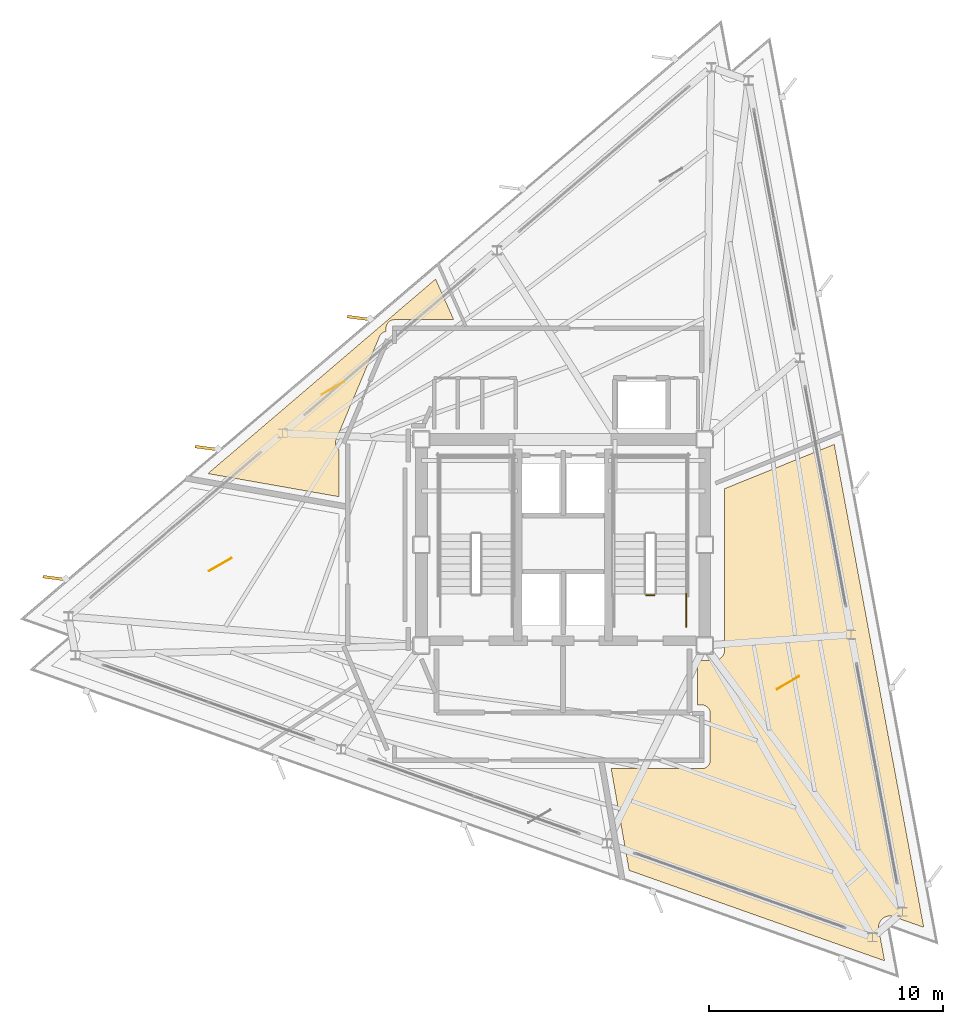
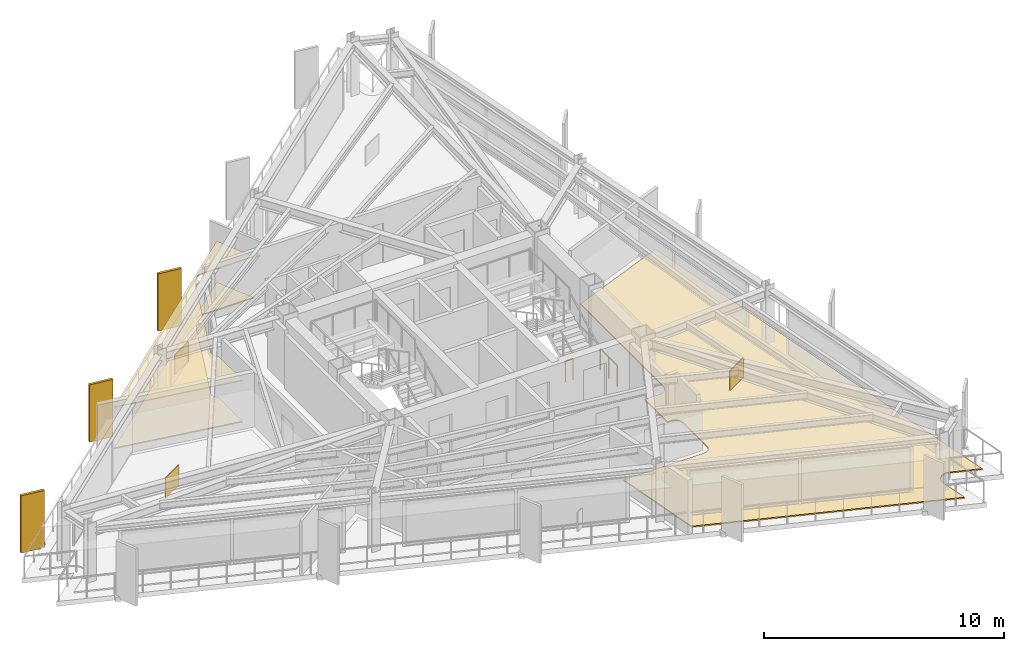
# One storey, part 12 of 14: 6 coverings, 3 shading devices, 2 railings.
"""IFC4 building model written with IfcOpenShell, lengths in metres."""

from ifc_helpers import new_model, si_unit, direction, frame, origin, origin_2d, place, context, subcontext, project, spatial, polyline, rectangle, outline, extrude, material, layer, layer_set, type_object, element, save


model = new_model("IFC4")

# Units and contexts
model_context = context("Model", 3, precision=1e-05, world=origin(), true_north=direction((0.0, 1.0)))
body_context = subcontext(model_context, "Body", "Model", "MODEL_VIEW")
ifc_project = project(units=[si_unit("LENGTHUNIT", "METRE"), si_unit("AREAUNIT", "SQUARE_METRE"), si_unit("VOLUMEUNIT", "CUBIC_METRE"), si_unit("PLANEANGLEUNIT", "RADIAN"), si_unit("MASSUNIT", "GRAM", prefix="KILO")], contexts=[model_context])

# Site, building, storey
site_placement = place(None, origin())
site = spatial("IfcSite", under=ifc_project, at=site_placement, CompositionType="ELEMENT")
building_placement = place(site_placement, origin())
building = spatial("IfcBuilding", under=site, at=building_placement, Name="Rocaltana Carrier Exchange", CompositionType="ELEMENT")
storey_placement = place(building_placement, frame((0.0, 0.0, 184.47998046875)))
storey = spatial("IfcBuildingStorey", under=building, at=storey_placement, Name="L58", CompositionType="ELEMENT", Elevation=184.47998046875)

# Coverings
ifc_material_1 = material(Name="Calcium Sulphate & Aluminium Pedestal", Category="aluminium")
ifc_layer_1 = layer(ifc_material_1, 0.06005859375)
ifc_layer_set_1 = layer_set([ifc_layer_1], Name="Calcium Sulphate & Aluminium Pedestal")
covering_type_1 = type_object("IfcCoveringType", Name="Anti-Static Raised Exchange Access Floor 60", PredefinedType="FLOORING", material=ifc_layer_set_1)
covering_1_placement = place(storey_placement, origin())
element("IfcCovering", 1, at=covering_1_placement, inside=storey, type_object=covering_type_1, Name="L58 Cloud Architecture Office Finish Floor", PredefinedType="FLOORING", context=body_context, shape_type="SweptSolid", body=[
    extrude(outline(polyline([(5.739990234375, -6.840087890625), (5.739990234375, -4.93994140625), (6.449951171875, -4.93994140625), (6.463623046875, -4.939697265625), (6.4794921875, -4.93896484375), (6.5068359375, -4.936279296875), (6.522216796875, -4.933837890625), (6.54931640625, -4.928466796875), (6.564453125, -4.9248046875), (6.5908203125, -4.916748046875), (6.605712890625, -4.91162109375), (6.630859375, -4.90087890625), (6.64501953125, -4.894287109375), (6.66943359375, -4.88134765625), (6.682861328125, -4.873291015625), (6.705810546875, -4.85791015625), (6.71826171875, -4.8486328125), (6.739501953125, -4.8310546875), (6.751220703125, -4.820556640625), (6.7705078125, -4.80126953125), (6.781005859375, -4.78955078125), (6.798583984375, -4.768310546875), (6.807861328125, -4.755615234375), (6.8232421875, -4.73291015625), (6.831298828125, -4.719482421875), (6.84423828125, -4.695068359375), (6.850830078125, -4.680908203125), (6.861572265625, -4.655517578125), (6.86669921875, -4.640869140625), (6.874755859375, -4.614501953125), (6.87841796875, -4.59912109375), (6.8837890625, -4.572265625), (6.88623046875, -4.556884765625), (6.888916015625, -4.529296875), (6.8896484375, -4.513671875), (6.889892578125, -4.5), (6.889892578125, 2.3955078125), (11.576171875, 4.288818359375), (15.398681640625, -16.3359375), (14.108642578125, -15.879150390625), (14.095458984375, -15.874755859375), (14.076416015625, -15.869140625), (14.04931640625, -15.8623046875), (14.02978515625, -15.858642578125), (14.001953125, -15.854736328125), (13.982177734375, -15.852783203125), (13.954345703125, -15.851806640625), (13.934326171875, -15.85205078125), (13.906494140625, -15.853515625), (13.88671875, -15.855712890625), (13.859130859375, -15.860107421875), (13.839599609375, -15.8642578125), (13.8125, -15.871337890625), (13.793701171875, -15.87744140625), (13.767333984375, -15.88720703125), (13.7490234375, -15.89501953125), (13.72412109375, -15.907470703125), (13.706787109375, -15.9169921875), (13.68310546875, -15.931884765625), (13.66650390625, -15.943359375), (13.64453125, -15.960205078125), (13.62939453125, -15.973388671875), (13.60888671875, -15.992431640625), (13.59521484375, -16.0068359375), (13.576904296875, -16.02783203125), (13.564697265625, -16.043701171875), (13.548583984375, -16.06640625), (13.537841796875, -16.083251953125), (13.524169921875, -16.107666015625), (13.51513671875, -16.12548828125), (13.50390625, -16.15087890625), (13.496826171875, -16.16943359375), (13.48828125, -16.196044921875), (13.48291015625, -16.21533203125), (13.47705078125, -16.24267578125), (13.4736328125, -16.26220703125), (13.470458984375, -16.2900390625), (13.468994140625, -16.309814453125), (13.46875, -16.337890625), (13.469482421875, -16.357666015625), (13.4716796875, -16.385498046875), (13.474365234375, -16.4052734375), (13.4765625, -16.419189453125), (13.725830078125, -17.7646484375), (2.81689453125, -13.901611328125), (2.05126953125, -9.56005859375), (5.919921875, -9.56005859375), (5.93359375, -9.559814453125), (5.941650390625, -9.559326171875), (5.968994140625, -9.556640625), (5.976806640625, -9.555419921875), (6.003662109375, -9.550048828125), (6.01123046875, -9.548095703125), (6.03759765625, -9.540283203125), (6.044921875, -9.53759765625), (6.0703125, -9.527099609375), (6.077392578125, -9.523681640625), (6.101806640625, -9.5107421875), (6.1083984375, -9.506591796875), (6.131103515625, -9.491455078125), (6.137451171875, -9.48681640625), (6.15869140625, -9.46923828125), (6.16455078125, -9.464111328125), (6.18408203125, -9.444580078125), (6.189208984375, -9.438720703125), (6.206787109375, -9.41748046875), (6.21142578125, -9.4111328125), (6.226806640625, -9.388427734375), (6.230712890625, -9.381591796875), (6.24365234375, -9.357421875), (6.2470703125, -9.350341796875), (6.257568359375, -9.324951171875), (6.26025390625, -9.317626953125), (6.268310546875, -9.291259765625), (6.27001953125, -9.28369140625), (6.275390625, -9.256591796875), (6.276611328125, -9.248779296875), (6.279296875, -9.2216796875), (6.27978515625, -9.213623046875), (6.280029296875, -9.199951171875), (6.280029296875, -7.199951171875), (6.27978515625, -7.186279296875), (6.279296875, -7.178466796875), (6.276611328125, -7.151123046875), (6.275390625, -7.143310546875), (6.27001953125, -7.116455078125), (6.268310546875, -7.108642578125), (6.26025390625, -7.08251953125), (6.257568359375, -7.0751953125), (6.2470703125, -7.0498046875), (6.24365234375, -7.04248046875), (6.230712890625, -7.018310546875), (6.226806640625, -7.01171875), (6.21142578125, -6.98876953125), (6.206787109375, -6.982421875), (6.189208984375, -6.961181640625), (6.18408203125, -6.955322265625), (6.16455078125, -6.93603515625), (6.15869140625, -6.9306640625), (6.137451171875, -6.913330078125), (6.131103515625, -6.90869140625), (6.1083984375, -6.893310546875), (6.101806640625, -6.889404296875), (6.077392578125, -6.876220703125), (6.0703125, -6.873046875), (6.044921875, -6.862548828125), (6.03759765625, -6.85986328125), (6.01123046875, -6.851806640625), (6.003662109375, -6.849853515625), (5.976806640625, -6.844482421875), (5.968994140625, -6.843505859375), (5.941650390625, -6.8408203125), (5.93359375, -6.84033203125), (5.919921875, -6.840087890625), (5.739990234375, -6.840087890625)])), origin(), (0.0, 0.0, 1.0), 0.06005859375),
])
covering_2_placement = place(storey_placement, origin())
element("IfcCovering", 2, at=covering_2_placement, inside=storey, type_object=covering_type_1, Name="L58 Peering Conference Room Finish Floor", PredefinedType="FLOORING", context=body_context, shape_type="SweptSolid", body=[
    extrude(outline(polyline([(-9.56005859375, 4.052001953125), (-9.56005859375, 2.05126953125), (-15.169921875, 3.040283203125), (-5.445556640625, 11.345703125), (-4.672607421875, 9.610107421875), (-7.199951171875, 9.610107421875), (-7.213623046875, 9.609619140625), (-7.2216796875, 9.609375), (-7.248779296875, 9.606689453125), (-7.256591796875, 9.60546875), (-7.28369140625, 9.60009765625), (-7.291259765625, 9.59814453125), (-7.317626953125, 9.590087890625), (-7.324951171875, 9.58740234375), (-7.350341796875, 9.576904296875), (-7.357421875, 9.57373046875), (-7.381591796875, 9.560791015625), (-7.388427734375, 9.556640625), (-7.4111328125, 9.54150390625), (-7.41748046875, 9.53662109375), (-7.438720703125, 9.519287109375), (-7.444580078125, 9.513916015625), (-7.464111328125, 9.49462890625), (-7.46923828125, 9.48876953125), (-7.48681640625, 9.467529296875), (-7.491455078125, 9.461181640625), (-7.506591796875, 9.4384765625), (-7.5107421875, 9.431640625), (-7.523681640625, 9.407470703125), (-7.527099609375, 9.400390625), (-7.53759765625, 9.375), (-7.540283203125, 9.36767578125), (-7.548095703125, 9.34130859375), (-7.550048828125, 9.33349609375), (-7.555419921875, 9.306640625), (-7.556640625, 9.298828125), (-7.559326171875, 9.271484375), (-7.559814453125, 9.263671875), (-7.56005859375, 9.25), (-7.56005859375, 9.106689453125), (-7.563720703125, 9.106201171875), (-7.5908203125, 9.100830078125), (-7.598388671875, 9.09912109375), (-7.624755859375, 9.09130859375), (-7.632080078125, 9.088623046875), (-7.65771484375, 9.078125), (-7.664794921875, 9.074951171875), (-7.68896484375, 9.06201171875), (-7.69580078125, 9.05810546875), (-7.71875, 9.04296875), (-7.72509765625, 9.038330078125), (-7.746337890625, 9.02099609375), (-7.752197265625, 9.015625), (-7.771728515625, 8.996337890625), (-7.777099609375, 8.990478515625), (-7.794677734375, 8.969482421875), (-7.79931640625, 8.963134765625), (-7.814697265625, 8.9404296875), (-7.818603515625, 8.93359375), (-7.831787109375, 8.909423828125), (-7.835205078125, 8.90234375), (-7.8408203125, 8.889892578125), (-9.69091796875, 4.489990234375), (-9.69580078125, 4.47705078125), (-9.698486328125, 4.4697265625), (-9.706787109375, 4.443603515625), (-9.70849609375, 4.435791015625), (-9.714111328125, 4.408935546875), (-9.71533203125, 4.401123046875), (-9.71826171875, 4.373779296875), (-9.718505859375, 4.365966796875), (-9.71875, 4.33837890625), (-9.718505859375, 4.330810546875), (-9.7158203125, 4.30322265625), (-9.714599609375, 4.295654296875), (-9.70947265625, 4.2685546875), (-9.70751953125, 4.260986328125), (-9.69970703125, 4.234619140625), (-9.697265625, 4.227294921875), (-9.686767578125, 4.201904296875), (-9.68359375, 4.194580078125), (-9.670654296875, 4.17041015625), (-9.666748046875, 4.16357421875), (-9.651611328125, 4.140625), (-9.64697265625, 4.134521484375), (-9.629638671875, 4.113037109375), (-9.624267578125, 4.107177734375), (-9.60498046875, 4.087646484375), (-9.59912109375, 4.082275390625), (-9.578125, 4.064697265625), (-9.57177734375, 4.06005859375), (-9.56005859375, 4.052001953125)])), origin(), (0.0, 0.0, 1.0), 0.06005859375),
])
ifc_material_2 = material(Name="Mineral Fibre & Powder-Coated Aluminium", Category="aluminium")
ifc_layer_2 = layer(ifc_material_2, 0.044921875)
ifc_layer_set_2 = layer_set([ifc_layer_2], Name="Mineral Fibre & Powder-Coated Aluminium")
covering_type_2 = type_object("IfcCoveringType", Name="Micro-Perforated Acoustic Ceiling 45", PredefinedType="CEILING", material=ifc_layer_set_2)
covering_3_placement = place(storey_placement, frame((0.0, 0.0, 2.10302734375)))
element("IfcCovering", 3, at=covering_3_placement, inside=storey, type_object=covering_type_2, Name="L58 Peering Conference Room Acoustic Ceiling", PredefinedType="CEILING", context=body_context, shape_type="SweptSolid", body=[
    extrude(outline(polyline([(-9.56005859375, 4.052001953125), (-9.56005859375, 2.05126953125), (-15.169921875, 3.040283203125), (-5.445556640625, 11.345703125), (-4.672607421875, 9.610107421875), (-7.199951171875, 9.610107421875), (-7.213623046875, 9.609619140625), (-7.2216796875, 9.609375), (-7.248779296875, 9.606689453125), (-7.256591796875, 9.60546875), (-7.28369140625, 9.60009765625), (-7.291259765625, 9.59814453125), (-7.317626953125, 9.590087890625), (-7.324951171875, 9.58740234375), (-7.350341796875, 9.576904296875), (-7.357421875, 9.57373046875), (-7.381591796875, 9.560791015625), (-7.388427734375, 9.556640625), (-7.4111328125, 9.54150390625), (-7.41748046875, 9.53662109375), (-7.438720703125, 9.519287109375), (-7.444580078125, 9.513916015625), (-7.464111328125, 9.49462890625), (-7.46923828125, 9.48876953125), (-7.48681640625, 9.467529296875), (-7.491455078125, 9.461181640625), (-7.506591796875, 9.4384765625), (-7.5107421875, 9.431640625), (-7.523681640625, 9.407470703125), (-7.527099609375, 9.400390625), (-7.53759765625, 9.375), (-7.540283203125, 9.36767578125), (-7.548095703125, 9.34130859375), (-7.550048828125, 9.33349609375), (-7.555419921875, 9.306640625), (-7.556640625, 9.298828125), (-7.559326171875, 9.271484375), (-7.559814453125, 9.263671875), (-7.56005859375, 9.25), (-7.56005859375, 9.106689453125), (-7.563720703125, 9.106201171875), (-7.5908203125, 9.100830078125), (-7.598388671875, 9.09912109375), (-7.624755859375, 9.09130859375), (-7.632080078125, 9.088623046875), (-7.65771484375, 9.078125), (-7.664794921875, 9.074951171875), (-7.68896484375, 9.06201171875), (-7.69580078125, 9.05810546875), (-7.71875, 9.04296875), (-7.72509765625, 9.038330078125), (-7.746337890625, 9.02099609375), (-7.752197265625, 9.015625), (-7.771728515625, 8.996337890625), (-7.777099609375, 8.990478515625), (-7.794677734375, 8.969482421875), (-7.79931640625, 8.963134765625), (-7.814697265625, 8.9404296875), (-7.818603515625, 8.93359375), (-7.831787109375, 8.909423828125), (-7.835205078125, 8.90234375), (-7.8408203125, 8.889892578125), (-9.69091796875, 4.489990234375), (-9.69580078125, 4.47705078125), (-9.698486328125, 4.4697265625), (-9.706787109375, 4.443603515625), (-9.70849609375, 4.435791015625), (-9.714111328125, 4.408935546875), (-9.71533203125, 4.401123046875), (-9.71826171875, 4.373779296875), (-9.718505859375, 4.365966796875), (-9.71875, 4.33837890625), (-9.718505859375, 4.330810546875), (-9.7158203125, 4.30322265625), (-9.714599609375, 4.295654296875), (-9.70947265625, 4.2685546875), (-9.70751953125, 4.260986328125), (-9.69970703125, 4.234619140625), (-9.697265625, 4.227294921875), (-9.686767578125, 4.201904296875), (-9.68359375, 4.194580078125), (-9.670654296875, 4.17041015625), (-9.666748046875, 4.16357421875), (-9.651611328125, 4.140625), (-9.64697265625, 4.134521484375), (-9.629638671875, 4.113037109375), (-9.624267578125, 4.107177734375), (-9.60498046875, 4.087646484375), (-9.59912109375, 4.082275390625), (-9.578125, 4.064697265625), (-9.57177734375, 4.06005859375), (-9.56005859375, 4.052001953125)])), origin(), (0.0, 0.0, 1.0), 0.044921875),
])

# Railings
ifc_material_3 = material(Name="Powder-Coated Aluminium 6063-T6", Category="aluminium")
ifc_layer_3 = layer(ifc_material_3, 0.048095703125)
ifc_layer_set_3 = layer_set([ifc_layer_3], Name="Powder-Coated Aluminium 6063-T6")
railing_type = type_object("IfcRailingType", Name="Stair Well Guardrail 1100", PredefinedType="GUARDRAIL", material=ifc_layer_set_3)
railing_1_placement = place(storey_placement, frame((3.89990234375, -2.14990234375, 0.0)))
element("IfcRailing", 4, at=railing_1_placement, inside=storey, type_object=railing_type, Name="L58 ST-2 stair guard 7", PredefinedType="GUARDRAIL", context=body_context, shape_type="SweptSolid", body=[
    extrude(rectangle(XDim=0.048095703125, YDim=0.048095703125, at=origin_2d()), frame((0.0, 0.0, 1.076171875), z_axis=(-1.0, 0.0, 0.0), x_axis=(0.0, -1.0, 0.0)), (0.0, 0.0, 1.0), 0.35986328125),
    extrude(rectangle(XDim=0.0419921875, YDim=0.0419921875, at=origin_2d()), origin(), (0.0, 0.0, 1.0), 1.052001953125),
    extrude(rectangle(XDim=0.0419921875, YDim=0.0419921875, at=origin_2d()), frame((-0.35986328125, 0.0, 0.0)), (0.0, 0.0, 1.0), 1.052001953125),
])
railing_2_placement = place(storey_placement, frame((5.25, -3.5, 0.0)))
element("IfcRailing", 5, at=railing_2_placement, inside=storey, type_object=railing_type, Name="L58 ST-2 stair guard 8", PredefinedType="GUARDRAIL", context=body_context, shape_type="SweptSolid", body=[
    extrude(rectangle(XDim=0.048095703125, YDim=0.048095703125, at=origin_2d()), frame((0.0, 0.0, 1.076171875), z_axis=(0.0, 1.0, 0.0), x_axis=(-1.0, 0.0, 0.0)), (0.0, 0.0, 1.0), 1.39990234375),
    extrude(rectangle(XDim=0.0419921875, YDim=0.0419921875, at=origin_2d()), origin(), (0.0, 0.0, 1.0), 1.052001953125),
    extrude(rectangle(XDim=0.0419921875, YDim=0.0419921875, at=origin_2d()), frame((0.0, 0.699951171875, 0.0)), (0.0, 0.0, 1.0), 1.052001953125),
    extrude(rectangle(XDim=0.0419921875, YDim=0.0419921875, at=origin_2d()), frame((0.0, 1.39990234375, 0.0)), (0.0, 0.0, 1.0), 1.052001953125),
])

# Coverings
ifc_material_4 = material(Name="Honed Piedra Muneca Sandstone", Category="masonry")
ifc_layer_4 = layer(ifc_material_4, 0.034912109375)
ifc_layer_set_4 = layer_set([ifc_layer_4], Name="Honed Piedra Muneca Sandstone")
covering_type_3 = type_object("IfcCoveringType", Name="Stone Facade Cladding 35", PredefinedType="CLADDING", material=ifc_layer_set_4)
for number, where, z_axis, x_axis, name in (
    (6, (-14.637939453125, -0.84228515625, 0.0), (0.0, 0.0, 1.0), (0.866025403784, 0.5, 0.0), "L58 Stone Facade Cladding Panel 1"),
    (7, (9.601318359375, -5.889892578125, 0.0), (0.0, 0.0, 1.0), (0.866025403784, 0.5, 0.0), "L58 Stone Facade Cladding Panel 3"),
    (8, (-9.831298828125, 6.68994140625, 0.0), (0.0, 0.0, 1.0), (0.866025403784, 0.5, 0.0), "L58 Stone Facade Cladding Panel 5"),
):
    element("IfcCovering", number, at=place(storey_placement, frame(where, z_axis=z_axis, x_axis=x_axis)), inside=storey, type_object=covering_type_3, Name=name, PredefinedType="CLADDING", context=body_context, shape_type="SweptSolid", body=[
        extrude(rectangle(XDim=1.10009765625, YDim=0.034912109375, at=origin_2d()), origin(), (0.0, 0.0, 1.0), 1.050048828125),
    ])

# Shading devices
ifc_material_5 = material(Name="Honed Bogota Sandstone & Concrete C45/55", Category="masonry")
ifc_layer_5 = layer(ifc_material_5, 0.1201171875)
ifc_layer_set_5 = layer_set([ifc_layer_5], Name="Honed Bogota Sandstone & Concrete C45/55")
shading_device_type = type_object("IfcShadingDeviceType", Name="Upper Sandstone Shading Fin 1050x120", PredefinedType="USERDEFINED", material=ifc_layer_set_5)
for number, where, z_axis, x_axis, name in (
    (9, (-8.6923828125, 9.677978515625, -0.119873046875), (0.0, 0.0, 1.0), (-0.991444861374, 0.13052619222, 0.0), "L58 Sandstone Vertical Fin F2-03"),
    (10, (-15.19384765625, 4.125, -0.119873046875), (0.0, 0.0, 1.0), (-0.991444861374, 0.13052619222, 0.0), "L58 Sandstone Vertical Fin F2-04"),
    (11, (-21.6953125, -1.427734375, -0.119873046875), (0.0, 0.0, 1.0), (-0.991444861374, 0.13052619222, 0.0), "L58 Sandstone Vertical Fin F2-05"),
):
    element("IfcShadingDevice", number, at=place(storey_placement, frame(where, z_axis=z_axis, x_axis=x_axis)), inside=storey, type_object=shading_device_type, Name=name, ObjectType="FIN", PredefinedType="USERDEFINED", context=body_context, shape_type="SweptSolid", body=[
        extrude(rectangle(XDim=1.050048828125, YDim=0.1201171875, at=origin_2d()), origin(), (0.0, 0.0, 1.0), 2.91796875),
    ])

save(model, "model.ifc")
